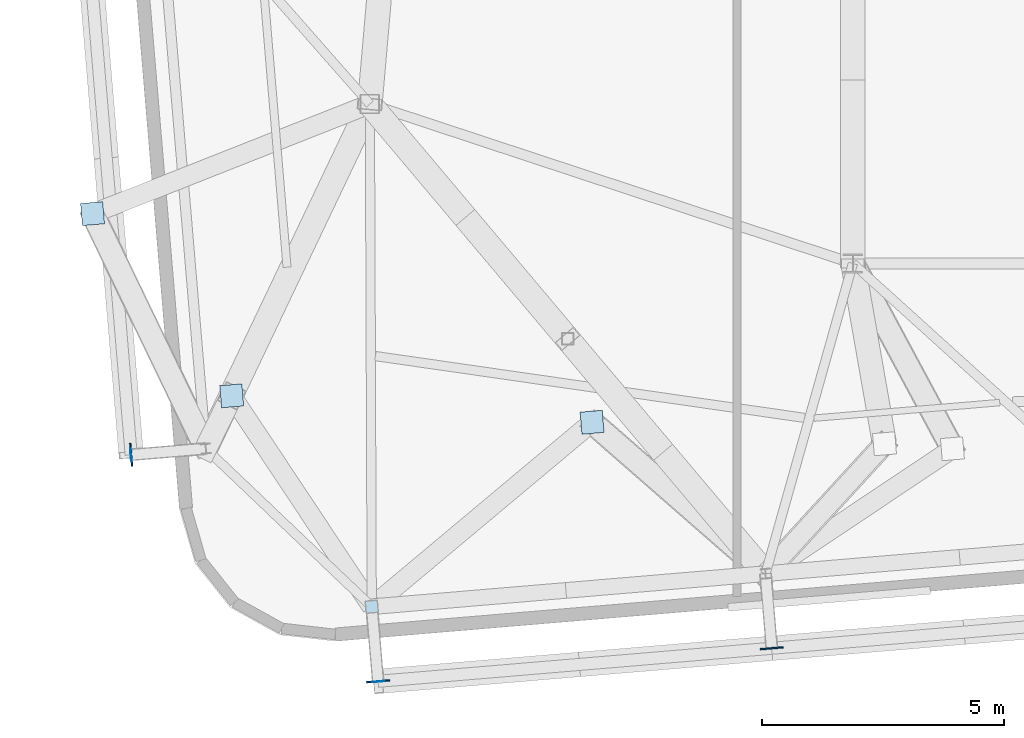
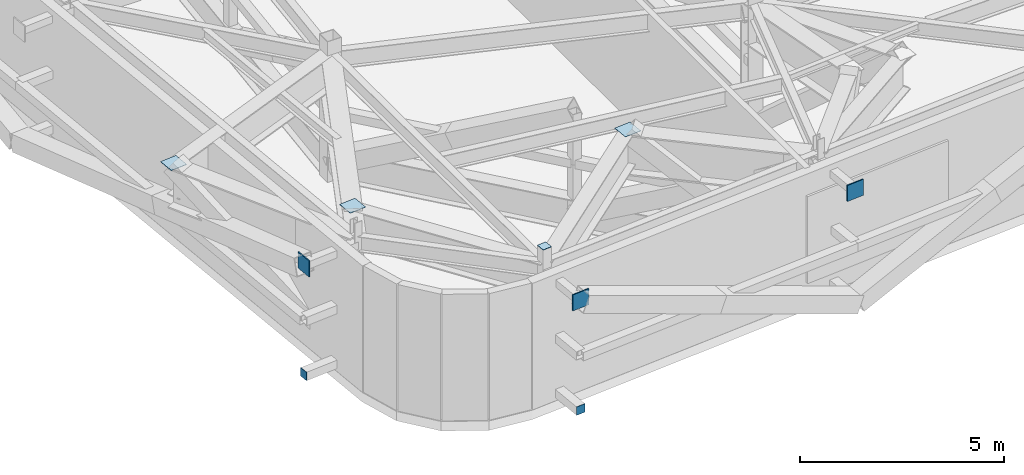
# One storey, part 15 of 26: 9 plates.
"""IFC4 building model written with IfcOpenShell, lengths in metres."""

from ifc_helpers import new_model, si_unit, direction, frame, origin, origin_2d, place, context, subcontext, project, spatial, rectangle, extrude, source, transform, mapped, material, layer, layer_set, type_object, element, save


model = new_model("IFC4")

# Units and contexts
model_context = context("Model", 3, precision=1e-05, world=origin(), true_north=direction((0.0, 1.0)))
body_context = subcontext(model_context, "Body", "Model", "MODEL_VIEW")
ifc_project = project(units=[si_unit("LENGTHUNIT", "METRE"), si_unit("AREAUNIT", "SQUARE_METRE"), si_unit("VOLUMEUNIT", "CUBIC_METRE"), si_unit("PLANEANGLEUNIT", "RADIAN"), si_unit("MASSUNIT", "GRAM", prefix="KILO")], contexts=[model_context])

# Site, building, storey
site_placement = place(None, origin())
site = spatial("IfcSite", under=ifc_project, at=site_placement, CompositionType="ELEMENT")
building_placement = place(site_placement, origin())
building = spatial("IfcBuilding", under=site, at=building_placement, Name="Taldren Reach Tower", CompositionType="ELEMENT")
storey_placement = place(building_placement, frame((0.0, 0.0, 207.199951171875)))
storey = spatial("IfcBuildingStorey", under=building, at=storey_placement, Name="L63", CompositionType="ELEMENT", Elevation=207.199951171875)

# Plates
ifc_material_1 = material(Name="Steel Gr 350 (C350L0)", Category="steel")
ifc_layer_1 = layer(ifc_material_1, 0.011962890625)
ifc_layer_set_1 = layer_set([ifc_layer_1], Name="Steel Gr 350 (C350L0)")
plate_type_1 = type_object("IfcPlateType", Name="PL-CAP-250", PredefinedType="SHEET", material=ifc_layer_set_1)
shared_shape_1 = source(origin(), body_context, "Body", "SweptSolid", [
    extrude(rectangle(XDim=0.25, YDim=0.011962890625, at=origin_2d()), origin(), (0.0, 0.0, 1.0), 0.25),
])
plate_1_placement = place(storey_placement, frame((18.169921875, 0.54345703125, 0.094970703125), z_axis=(0.0, 0.0, 1.0), x_axis=(0.99649285925, 0.083677843332, 0.0)))
element("IfcPlate", 1, at=plate_1_placement, inside=storey, type_object=plate_type_1, Name="Tie strut end cap plate B4-S1 L63", PredefinedType="SHEET", context=body_context, shape_type="MappedRepresentation", body=[
    mapped(shared_shape_1, transform((0.0, 0.0, 0.0), scale=1.0)),
])
shared_shape_2 = source(origin(), body_context, "Body", "SweptSolid", [
    extrude(rectangle(XDim=0.011962890625, YDim=0.25, at=origin_2d()), origin(), (0.0, 0.0, 1.0), 0.25),
])
plate_2_placement = place(storey_placement, frame((13.052978515625, 5.23779296875, 0.094970703125), z_axis=(0.0, 0.0, 1.0), x_axis=(0.99649285925, 0.083677843332, 0.0)))
element("IfcPlate", 2, at=plate_2_placement, inside=storey, type_object=plate_type_1, Name="Tie strut end cap plate B4-W1 L63", PredefinedType="SHEET", context=body_context, shape_type="MappedRepresentation", body=[
    mapped(shared_shape_2, transform((0.0, 0.0, 0.0), scale=1.0)),
])
ifc_material_2 = material(Name="Steel Gr 450 (C450L0)", Category="steel")
ifc_layer_2 = layer(ifc_material_2, 0.011962890625)
ifc_layer_set_2 = layer_set([ifc_layer_2], Name="Steel Gr 450 (C450L0)")
plate_type_2 = type_object("IfcPlateType", Name="PL-CAP-460", PredefinedType="SHEET", material=ifc_layer_set_2)
shared_shape_3 = source(origin(), body_context, "Body", "SweptSolid", [
    extrude(rectangle(XDim=0.4599609375, YDim=0.4599609375, at=origin_2d()), origin(), (0.0, 0.0, 1.0), 0.011962890625),
])
for number, where, z_axis, x_axis, name in (
    (3, (15.140625, 6.460205078125, 3.76806640625), (0.0, 0.0, 1.0), (0.99649285925, 0.083677843332, 0.0), "Transfer strut end cap plate TS-B5-S1 L63"),
    (4, (22.6005859375, 5.912353515625, 3.76806640625), (0.0, 0.0, 1.0), (0.99649285925, 0.083677843332, 0.0), "Transfer strut end cap plate TS-B5-S2 L63"),
    (5, (12.259033203125, 10.2314453125, 3.76806640625), (0.0, 0.0, 1.0), (0.99649285925, 0.083677843332, 0.0), "Transfer strut end cap plate TS-B5-W1 L63"),
):
    element("IfcPlate", number, at=place(storey_placement, frame(where, z_axis=z_axis, x_axis=x_axis)), inside=storey, type_object=plate_type_2, Name=name, PredefinedType="SHEET", context=body_context, shape_type="MappedRepresentation", body=[
        mapped(shared_shape_3, transform((0.0, 0.0, 0.0), scale=1.0)),
    ])
ifc_layer_3 = layer(ifc_material_2, 0.031982421875)
ifc_layer_set_3 = layer_set([ifc_layer_3], Name="Steel Gr 450 (C450L0)")
plate_type_3 = type_object("IfcPlateType", Name="PL-GUSSET-32", PredefinedType="SHEET", material=ifc_layer_set_3)
shared_shape_4 = source(origin(), body_context, "Body", "SweptSolid", [
    extrude(rectangle(XDim=0.47998046875, YDim=0.031982421875, at=origin_2d()), origin(), (0.0, 0.0, 1.0), 0.47998046875),
])
for number, where, z_axis, x_axis, name in (
    (6, (18.16943359375, 0.549560546875, 3.260009765625), (0.0, 0.0, 1.0), (0.99649285925, 0.083677843332, 0.0), "Exoskeleton star-node gusset plate B4-S1 L63"),
    (7, (26.320556640625, 1.23388671875, 3.260009765625), (0.0, 0.0, 1.0), (0.99649285925, 0.083677843332, 0.0), "Exoskeleton star-node gusset plate B4-S2 L63"),
    (8, (13.05908203125, 5.23828125, 3.260009765625), (0.0, 0.0, 1.0), (-0.083677843332, 0.99649285925, 0.0), "Exoskeleton star-node gusset plate B4-W1 L63"),
):
    element("IfcPlate", number, at=place(storey_placement, frame(where, z_axis=z_axis, x_axis=x_axis)), inside=storey, type_object=plate_type_3, Name=name, PredefinedType="SHEET", context=body_context, shape_type="MappedRepresentation", body=[
        mapped(shared_shape_4, transform((0.0, 0.0, 0.0), scale=1.0)),
    ])
shared_shape_5 = source(origin(), body_context, "Body", "SweptSolid", [
    extrude(rectangle(XDim=0.25, YDim=0.25, at=origin_2d()), origin(), (0.0, 0.0, 1.0), 0.011962890625),
])
plate_3_placement = place(storey_placement, frame((18.03955078125, 2.093994140625, 4.2001953125), z_axis=(0.0, 0.0, 1.0), x_axis=(0.99649285925, 0.083677843332, 0.0)))
element("IfcPlate", 9, at=plate_3_placement, inside=storey, type_object=plate_type_1, Name="Perimeter column end cap plate B4-S1 L63", PredefinedType="SHEET", context=body_context, shape_type="MappedRepresentation", body=[
    mapped(shared_shape_5, transform((0.0, 0.0, 0.0), scale=1.0)),
])

save(model, "model.ifc")
